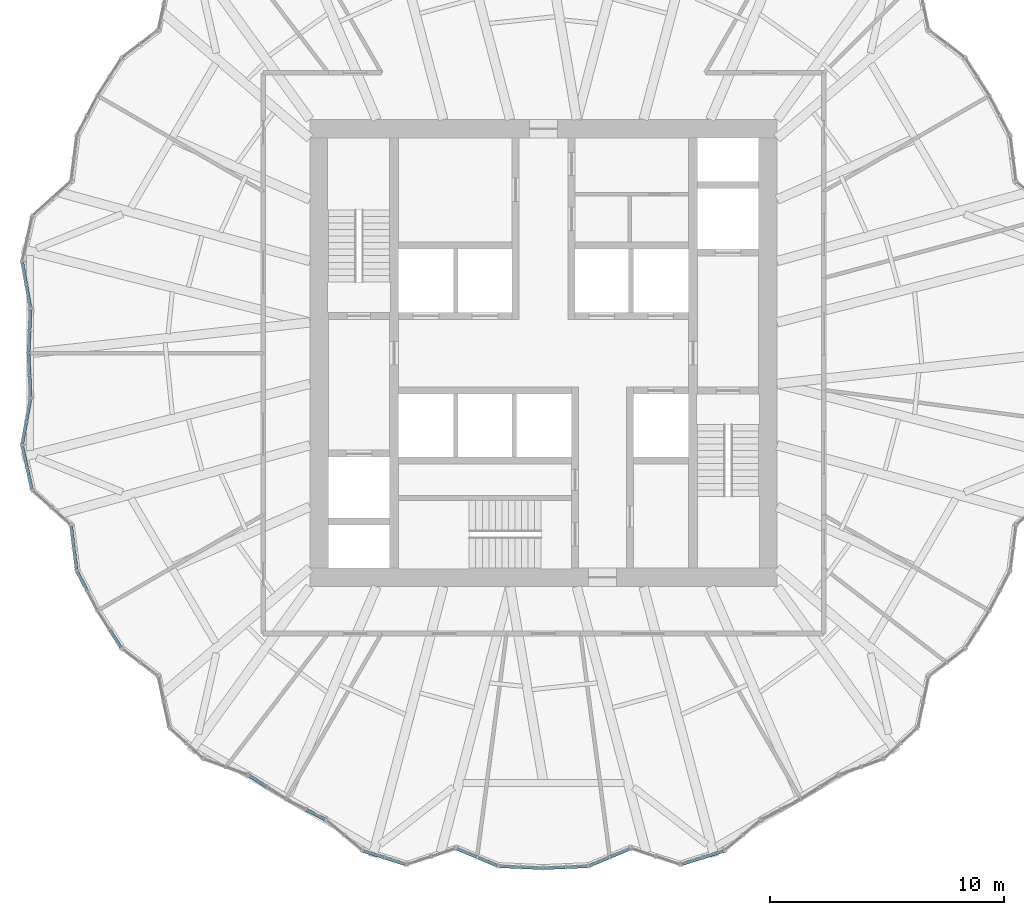
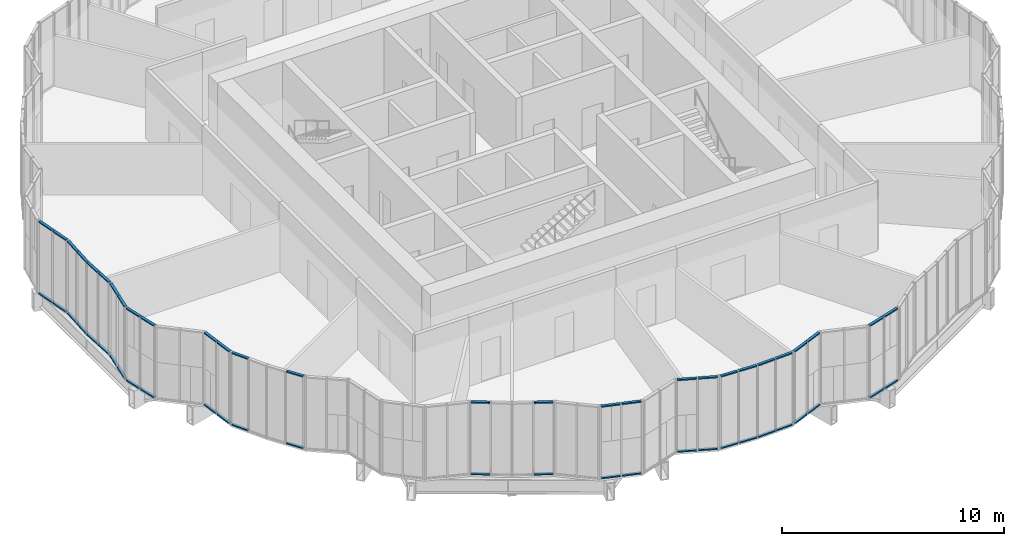
# One storey, part 10 of 23: 56 members, 16 elements without a shape of their own.
"""IFC4 building model written with IfcOpenShell, lengths in metres."""

import ifcopenshell
import ifcopenshell.guid

model = None  # the IFC model being written
_history = None  # IfcOwnerHistory: only IFC2X3 demands one
_inside = {}  # id of a spatial element -> (the spatial element, [elements in it])
_under = {}  # id of a project, library or spatial element -> (it, [spatial elements below it])
_declared = {}  # id of a project -> (the project, [libraries it declares])
_typed = {}  # id of a type object -> (the type object, [elements of that type])
_made_of = {}  # id of a material, layer set ... -> (it, [elements and type objects made of it])


def new_model(schema):
    """Start an empty IFC model of exactly this schema.

    Asked for "IFC4X3", IfcOpenShell would pick the latest addendum, in which some entities
    have other attributes; the version numbers below select the first issue.
    IFC2X3 requires an IfcOwnerHistory on every rooted entity: one is made here for all.
    """
    global model, _history
    if schema == "IFC4X3":
        model = ifcopenshell.file(schema_version=(4, 3, 0, 0))
    else:
        model = ifcopenshell.file(schema=schema)
    _inside.clear()
    _under.clear()
    _declared.clear()
    _typed.clear()
    _made_of.clear()
    _history = None
    if model.schema == "IFC2X3":
        org = make("IfcOrganization", Name="unknown")
        user = make(
            "IfcPersonAndOrganization",
            ThePerson=make("IfcPerson", FamilyName="unknown"),
            TheOrganization=org,
        )
        app = make(
            "IfcApplication",
            ApplicationDeveloper=org,
            Version="unknown",
            ApplicationFullName="unknown",
            ApplicationIdentifier="unknown",
        )
        _history = make(
            "IfcOwnerHistory",
            OwningUser=user,
            OwningApplication=app,
            ChangeAction="ADDED",
            CreationDate=0,
        )
    return model


def make(cls, **values):
    """One entity of the class cls with the attributes given. An attribute that is None is left unset."""
    return model.create_entity(
        cls, **{name: value for name, value in values.items() if value is not None}
    )


def rooted(cls, **values):
    """An entity with a GlobalId (a new one), such as an element, a storey or a relation."""
    return make(cls, GlobalId=ifcopenshell.guid.new(), OwnerHistory=_history, **values)


def si_unit(unit_type, name, prefix=None):
    """IfcSIUnit, for example si_unit("LENGTHUNIT", "METRE", prefix="MILLI")."""
    return make("IfcSIUnit", UnitType=unit_type, Prefix=prefix, Name=name)


def assignment(units):
    """IfcUnitAssignment: the units of a project."""
    return None if units is None else make("IfcUnitAssignment", Units=units)


def point(xyz):
    """IfcCartesianPoint."""
    return None if xyz is None else make("IfcCartesianPoint", Coordinates=xyz)


def direction(xyz):
    """IfcDirection."""
    return None if xyz is None else make("IfcDirection", DirectionRatios=xyz)


def frame(location, z_axis=None, x_axis=None):
    """IfcAxis2Placement3D, a coordinate frame: its origin and axes. An axis left out is left unset."""
    return make(
        "IfcAxis2Placement3D",
        Location=point(location),
        Axis=direction(z_axis),
        RefDirection=direction(x_axis),
    )


def frame_2d(location, x_axis=None):
    """IfcAxis2Placement2D, a coordinate frame in the plane: its origin and x axis."""
    return make(
        "IfcAxis2Placement2D", Location=point(location), RefDirection=direction(x_axis)
    )


def origin():
    """The frame at (0, 0, 0) with its axes left unset."""
    return frame((0.0, 0.0, 0.0))


def origin_2d():
    """The frame at (0, 0) in the plane with its x axis left unset."""
    return frame_2d((0.0, 0.0))


def place(relative_to, where):
    """IfcLocalPlacement: puts the frame where relative to a parent placement (None: the world)."""
    return make(
        "IfcLocalPlacement", PlacementRelTo=relative_to, RelativePlacement=where
    )


def context(
    kind, dimensions, precision=None, world=None, true_north=None, identifier=None
):
    """IfcGeometricRepresentationContext, for example the 3D "Model" context."""
    return make(
        "IfcGeometricRepresentationContext",
        ContextIdentifier=identifier,
        ContextType=kind,
        CoordinateSpaceDimension=dimensions,
        Precision=precision,
        WorldCoordinateSystem=world,
        TrueNorth=true_north,
    )


def subcontext(parent, identifier, kind, view, scale=None):
    """IfcGeometricRepresentationSubContext, for example "Body" below "Model"."""
    return make(
        "IfcGeometricRepresentationSubContext",
        ContextIdentifier=identifier,
        ContextType=kind,
        ParentContext=parent,
        TargetScale=scale,
        TargetView=view,
    )


def project(units=None, contexts=None):
    """IfcProject with its units and contexts."""
    return rooted(
        "IfcProject",
        Name="project",
        RepresentationContexts=contexts,
        UnitsInContext=assignment(units),
    )


def spatial(cls, under=None, at=None, **own):
    """A site, building, storey or space (cls), placed at a placement, below another one or the project."""
    s = rooted(cls, ObjectPlacement=at, **own)
    if under is not None:
        _under.setdefault(under.id(), (under, []))[1].append(s)
    return s


def profile(cls, at=None, kind="AREA", **sizes):
    """A parametric profile (cls). Its sizes go by their IFC names, for example OverallWidth=200.0."""
    return make(cls, ProfileType=kind, Position=at, **sizes)


def rectangle(**sizes):
    """IfcRectangleProfileDef."""
    return profile("IfcRectangleProfileDef", **sizes)


def extrude(swept, where, along, depth):
    """IfcExtrudedAreaSolid: the profile swept, set in the frame where, extruded along a direction by depth."""
    return make(
        "IfcExtrudedAreaSolid",
        SweptArea=swept,
        Position=where,
        ExtrudedDirection=direction(along),
        Depth=depth,
    )


def shape(context_of_items, identifier, shape_type, items):
    """IfcShapeRepresentation: the items that make up one representation, for example the "Body"."""
    return make(
        "IfcShapeRepresentation",
        ContextOfItems=context_of_items,
        RepresentationIdentifier=identifier,
        RepresentationType=shape_type,
        Items=items,
    )


def material(Name=None, Category=None):
    """IfcMaterial."""
    return make("IfcMaterial", Name=Name, Category=Category)


def material_profile(
    of_material, cross_section, Name=None, Category=None, Priority=None
):
    """IfcMaterialProfile: a cross section and its material."""
    return make(
        "IfcMaterialProfile",
        Name=Name,
        Material=of_material,
        Profile=cross_section,
        Priority=Priority,
        Category=Category,
    )


def profile_set(profiles, Name=None, composite=None):
    """IfcMaterialProfileSet."""
    return make(
        "IfcMaterialProfileSet",
        Name=Name,
        MaterialProfiles=profiles,
        CompositeProfile=composite,
    )


def made_of(thing, what):
    """Note that an element or type object is made of a material, layer set ...; save() writes the relation."""
    if what is not None:
        _made_of.setdefault(what.id(), (what, []))[1].append(thing)
    return thing


def type_object(cls, material=None, **own):
    """A type object (cls), such as IfcWallType, which elements share."""
    return made_of(rooted(cls, **own), material)


def element(
    cls,
    number,
    at=None,
    inside=None,
    cuts=None,
    type_object=None,
    material=None,
    context=None,
    identifier="Body",
    shape_type=None,
    held_by="IfcProductDefinitionShape",
    body=None,
    shapes=None,
    **own,
):
    """One element of the class cls, such as IfcWall. Its Tag is "e" and its number.

    at: its placement. inside: the storey or other place that contains it. cuts: it is an
    opening in that element (IfcRelVoidsElement). A single representation is given by context,
    identifier, shape_type and body (its items); several are given by shapes. held_by: the class
    of the entity that holds the representations. save() writes the other relations.
    """
    e = rooted(cls, Tag="e%d" % number, ObjectPlacement=at, **own)
    if body is not None:
        shapes = [shape(context, identifier, shape_type, body)]
    if shapes is not None:
        e.Representation = make(held_by, Representations=shapes)
    if inside is not None:
        _inside.setdefault(inside.id(), (inside, []))[1].append(e)
    if cuts is not None:
        rooted(
            "IfcRelVoidsElement", RelatingBuildingElement=cuts, RelatedOpeningElement=e
        )
    if type_object is not None:
        _typed.setdefault(type_object.id(), (type_object, []))[1].append(e)
    return made_of(e, material)


def aggregate(whole, parts):
    """IfcRelAggregates: a whole, such as a stair, and the parts it consists of."""
    return rooted("IfcRelAggregates", RelatingObject=whole, RelatedObjects=parts)


def save(model, path):
    """Write the relations noted so far, then the file.

    IfcRelAggregates (storeys below a building ...), IfcRelContainedInSpatialStructure (elements
    in a storey), IfcRelDefinesByType, IfcRelAssociatesMaterial and IfcRelDeclares: one each for
    every whole, place, type object, material and project.
    """
    for whole, parts in _under.values():
        aggregate(whole, parts)
    for where, things in _inside.values():
        rooted(
            "IfcRelContainedInSpatialStructure",
            RelatedElements=things,
            RelatingStructure=where,
        )
    for kind, things in _typed.values():
        rooted("IfcRelDefinesByType", RelatedObjects=things, RelatingType=kind)
    for what, things in _made_of.values():
        rooted("IfcRelAssociatesMaterial", RelatedObjects=things, RelatingMaterial=what)
    for by, libraries in _declared.values():
        rooted("IfcRelDeclares", RelatingContext=by, RelatedDefinitions=libraries)
    model.write(path)


model = new_model("IFC4")

# Units and contexts
model_context = context("Model", 3, precision=1e-05, world=origin(), true_north=direction((0.0, 1.0)))
body_context = subcontext(model_context, "Body", "Model", "MODEL_VIEW")
ifc_project = project(units=[si_unit("LENGTHUNIT", "METRE"), si_unit("AREAUNIT", "SQUARE_METRE"), si_unit("VOLUMEUNIT", "CUBIC_METRE"), si_unit("PLANEANGLEUNIT", "RADIAN"), si_unit("MASSUNIT", "GRAM", prefix="KILO")], contexts=[model_context])

# Site, building, storey
site_placement = place(None, origin())
site = spatial("IfcSite", under=ifc_project, at=site_placement, CompositionType="ELEMENT")
building_placement = place(site_placement, origin())
building = spatial("IfcBuilding", under=site, at=building_placement, Name="Golbaran Civic Tower", CompositionType="ELEMENT")
storey_placement = place(building_placement, frame((0.0, 0.0, 33.0)))
storey = spatial("IfcBuildingStorey", under=building, at=storey_placement, Name="L07", CompositionType="ELEMENT", Elevation=33.0)

# Curtain wall, members
ifc_material_1 = material(Name="Aluminium and glass", Category="aluminium")
curtain_wall_type = type_object("IfcCurtainWallType", Name="INNER SKIN CURTAIN WALL", PredefinedType="NOTDEFINED", material=ifc_material_1)
curtain_wall_1_placement = place(storey_placement, origin())
curtain_wall_1 = element("IfcCurtainWall", 1, at=curtain_wall_1_placement, inside=storey, type_object=curtain_wall_type, Name="Inner skin L07 facet 35 CW1", ObjectType="INNER SKIN", PredefinedType="USERDEFINED")
ifc_material_2 = material(Name="Aluminium", Category="aluminium")
ifc_material_profile = material_profile(ifc_material_2, rectangle(XDim=0.139892578125, YDim=0.06494140625, at=origin_2d()), Name="INNER SKIN CURTAIN WALL TRANSOM")
ifc_profile_set = profile_set([ifc_material_profile], Name="Aluminium")
member_type = type_object("IfcMemberType", Name="INNER SKIN CURTAIN WALL TRANSOM", PredefinedType="USERDEFINED", material=ifc_profile_set)
member_1_placement = place(storey_placement, frame((-22.309326171875, 3.871826171875, 0.032470703125), z_axis=(0.175891034414, -0.984409642381, 0.0), x_axis=(0.984409642381, 0.175891034414, 0.0)))
member_1 = element("IfcMember", 2, at=member_1_placement, type_object=member_type, Name="CW1 transom 1.1", ObjectType="TRANSOM", PredefinedType="USERDEFINED", context=body_context, shape_type="SweptSolid", body=[
    extrude(rectangle(XDim=0.139892578125, YDim=0.06494140625, at=origin_2d()), origin(), (0.0, 0.0, 1.0), 0.92578125),
])
member_2_placement = place(storey_placement, frame((-22.309326171875, 3.871826171875, 3.967529296875), z_axis=(0.175891034414, -0.984409642381, 0.0), x_axis=(0.984409642381, 0.175891034414, 0.0)))
member_2 = element("IfcMember", 3, at=member_2_placement, type_object=member_type, Name="CW1 transom 1.2", ObjectType="TRANSOM", PredefinedType="USERDEFINED", context=body_context, shape_type="SweptSolid", body=[
    extrude(rectangle(XDim=0.139892578125, YDim=0.06494140625, at=origin_2d()), origin(), (0.0, 0.0, 1.0), 0.92578125),
])
member_3_placement = place(storey_placement, frame((-22.13525390625, 2.896484375, 0.032470703125), z_axis=(0.175936706241, -0.984401480798, 0.0), x_axis=(0.984401480798, 0.175936706241, 0.0)))
member_3 = element("IfcMember", 4, at=member_3_placement, type_object=member_type, Name="CW1 transom 2.1", ObjectType="TRANSOM", PredefinedType="USERDEFINED", context=body_context, shape_type="SweptSolid", body=[
    extrude(rectangle(XDim=0.139892578125, YDim=0.06494140625, at=origin_2d()), origin(), (0.0, 0.0, 1.0), 0.925537109375),
])
member_4_placement = place(storey_placement, frame((-22.13525390625, 2.896484375, 3.967529296875), z_axis=(0.175936706241, -0.984401480798, 0.0), x_axis=(0.984401480798, 0.175936706241, 0.0)))
member_4 = element("IfcMember", 5, at=member_4_placement, type_object=member_type, Name="CW1 transom 2.2", ObjectType="TRANSOM", PredefinedType="USERDEFINED", context=body_context, shape_type="SweptSolid", body=[
    extrude(rectangle(XDim=0.139892578125, YDim=0.06494140625, at=origin_2d()), origin(), (0.0, 0.0, 1.0), 0.925537109375),
])
aggregate(curtain_wall_1, [member_1, member_2, member_3, member_4])

curtain_wall_2_placement = place(storey_placement, origin())
curtain_wall_2 = element("IfcCurtainWall", 6, at=curtain_wall_2_placement, inside=storey, type_object=curtain_wall_type, Name="Inner skin L07 facet 36 CW1", ObjectType="INNER SKIN", PredefinedType="USERDEFINED")
member_5_placement = place(storey_placement, frame((-21.9638671875, 1.8564453125, 0.032470703125), z_axis=(-0.043792788045, -0.999040635668, 0.0), x_axis=(0.999040635668, -0.043792788045, 0.0)))
member_5 = element("IfcMember", 7, at=member_5_placement, type_object=member_type, Name="CW1 transom 1.1", ObjectType="TRANSOM", PredefinedType="USERDEFINED", context=body_context, shape_type="SweptSolid", body=[
    extrude(rectangle(XDim=0.139892578125, YDim=0.06494140625, at=origin_2d()), origin(), (0.0, 0.0, 1.0), 0.864013671875),
])
member_6_placement = place(storey_placement, frame((-21.9638671875, 1.8564453125, 3.967529296875), z_axis=(-0.043792788045, -0.999040635668, 0.0), x_axis=(0.999040635668, -0.043792788045, 0.0)))
member_6 = element("IfcMember", 8, at=member_6_placement, type_object=member_type, Name="CW1 transom 1.2", ObjectType="TRANSOM", PredefinedType="USERDEFINED", context=body_context, shape_type="SweptSolid", body=[
    extrude(rectangle(XDim=0.139892578125, YDim=0.06494140625, at=origin_2d()), origin(), (0.0, 0.0, 1.0), 0.864013671875),
])
member_7_placement = place(storey_placement, frame((-22.00439453125, 0.92822265625, 0.032470703125), z_axis=(-0.043838979607, -0.999038609798, 0.0), x_axis=(0.999038609798, -0.043838979607, 0.0)))
member_7 = element("IfcMember", 9, at=member_7_placement, type_object=member_type, Name="CW1 transom 2.1", ObjectType="TRANSOM", PredefinedType="USERDEFINED", context=body_context, shape_type="SweptSolid", body=[
    extrude(rectangle(XDim=0.139892578125, YDim=0.06494140625, at=origin_2d()), origin(), (0.0, 0.0, 1.0), 0.896728515625),
])
member_8_placement = place(storey_placement, frame((-22.00439453125, 0.92822265625, 3.967529296875), z_axis=(-0.043838979607, -0.999038609798, 0.0), x_axis=(0.999038609798, -0.043838979607, 0.0)))
member_8 = element("IfcMember", 10, at=member_8_placement, type_object=member_type, Name="CW1 transom 2.2", ObjectType="TRANSOM", PredefinedType="USERDEFINED", context=body_context, shape_type="SweptSolid", body=[
    extrude(rectangle(XDim=0.139892578125, YDim=0.06494140625, at=origin_2d()), origin(), (0.0, 0.0, 1.0), 0.896728515625),
])
aggregate(curtain_wall_2, [member_5, member_6, member_7, member_8])

curtain_wall_3_placement = place(storey_placement, origin())
curtain_wall_3 = element("IfcCurtainWall", 11, at=curtain_wall_3_placement, inside=storey, type_object=curtain_wall_type, Name="Inner skin L07 facet 37 CW1", ObjectType="INNER SKIN", PredefinedType="USERDEFINED")
member_9_placement = place(storey_placement, frame((-22.043701171875, -0.032470703125, 0.032470703125), z_axis=(0.043838979607, -0.999038609798, 0.0), x_axis=(0.999038609798, 0.043838979607, 0.0)))
member_9 = element("IfcMember", 12, at=member_9_placement, type_object=member_type, Name="CW1 transom 1.1", ObjectType="TRANSOM", PredefinedType="USERDEFINED", context=body_context, shape_type="SweptSolid", body=[
    extrude(rectangle(XDim=0.139892578125, YDim=0.06494140625, at=origin_2d()), origin(), (0.0, 0.0, 1.0), 0.896728515625),
])
member_10_placement = place(storey_placement, frame((-22.043701171875, -0.032470703125, 3.967529296875), z_axis=(0.043838979607, -0.999038609798, 0.0), x_axis=(0.999038609798, 0.043838979607, 0.0)))
member_10 = element("IfcMember", 13, at=member_10_placement, type_object=member_type, Name="CW1 transom 1.2", ObjectType="TRANSOM", PredefinedType="USERDEFINED", context=body_context, shape_type="SweptSolid", body=[
    extrude(rectangle(XDim=0.139892578125, YDim=0.06494140625, at=origin_2d()), origin(), (0.0, 0.0, 1.0), 0.896728515625),
])
member_11_placement = place(storey_placement, frame((-22.001708984375, -0.9931640625, 0.032470703125), z_axis=(0.043792788045, -0.999040635668, 0.0), x_axis=(0.999040635668, 0.043792788045, 0.0)))
member_11 = element("IfcMember", 14, at=member_11_placement, type_object=member_type, Name="CW1 transom 2.1", ObjectType="TRANSOM", PredefinedType="USERDEFINED", context=body_context, shape_type="SweptSolid", body=[
    extrude(rectangle(XDim=0.139892578125, YDim=0.06494140625, at=origin_2d()), origin(), (0.0, 0.0, 1.0), 0.864013671875),
])
member_12_placement = place(storey_placement, frame((-22.001708984375, -0.9931640625, 3.967529296875), z_axis=(0.043792788045, -0.999040635668, 0.0), x_axis=(0.999040635668, 0.043792788045, 0.0)))
member_12 = element("IfcMember", 15, at=member_12_placement, type_object=member_type, Name="CW1 transom 2.2", ObjectType="TRANSOM", PredefinedType="USERDEFINED", context=body_context, shape_type="SweptSolid", body=[
    extrude(rectangle(XDim=0.139892578125, YDim=0.06494140625, at=origin_2d()), origin(), (0.0, 0.0, 1.0), 0.864013671875),
])
aggregate(curtain_wall_3, [member_9, member_10, member_11, member_12])

curtain_wall_4_placement = place(storey_placement, origin())
curtain_wall_4 = element("IfcCurtainWall", 16, at=curtain_wall_4_placement, inside=storey, type_object=curtain_wall_type, Name="Inner skin L07 facet 38 CW1", ObjectType="INNER SKIN", PredefinedType="USERDEFINED")
member_13_placement = place(storey_placement, frame((-21.972412109375, -1.9853515625, 0.032470703125), z_axis=(-0.175936706241, -0.984401480798, 0.0), x_axis=(0.984401480798, -0.175936706241, 0.0)))
member_13 = element("IfcMember", 17, at=member_13_placement, type_object=member_type, Name="CW1 transom 1.1", ObjectType="TRANSOM", PredefinedType="USERDEFINED", context=body_context, shape_type="SweptSolid", body=[
    extrude(rectangle(XDim=0.139892578125, YDim=0.06494140625, at=origin_2d()), origin(), (0.0, 0.0, 1.0), 0.925537109375),
])
member_14_placement = place(storey_placement, frame((-21.972412109375, -1.9853515625, 3.967529296875), z_axis=(-0.175936706241, -0.984401480798, 0.0), x_axis=(0.984401480798, -0.175936706241, 0.0)))
member_14 = element("IfcMember", 18, at=member_14_placement, type_object=member_type, Name="CW1 transom 1.2", ObjectType="TRANSOM", PredefinedType="USERDEFINED", context=body_context, shape_type="SweptSolid", body=[
    extrude(rectangle(XDim=0.139892578125, YDim=0.06494140625, at=origin_2d()), origin(), (0.0, 0.0, 1.0), 0.925537109375),
])
member_15_placement = place(storey_placement, frame((-22.146484375, -2.96044921875, 0.032470703125), z_axis=(-0.175891034414, -0.984409642381, 0.0), x_axis=(0.984409642381, -0.175891034414, 0.0)))
member_15 = element("IfcMember", 19, at=member_15_placement, type_object=member_type, Name="CW1 transom 2.1", ObjectType="TRANSOM", PredefinedType="USERDEFINED", context=body_context, shape_type="SweptSolid", body=[
    extrude(rectangle(XDim=0.139892578125, YDim=0.06494140625, at=origin_2d()), origin(), (0.0, 0.0, 1.0), 0.92578125),
])
member_16_placement = place(storey_placement, frame((-22.146484375, -2.96044921875, 3.967529296875), z_axis=(-0.175891034414, -0.984409642381, 0.0), x_axis=(0.984409642381, -0.175891034414, 0.0)))
member_16 = element("IfcMember", 20, at=member_16_placement, type_object=member_type, Name="CW1 transom 2.2", ObjectType="TRANSOM", PredefinedType="USERDEFINED", context=body_context, shape_type="SweptSolid", body=[
    extrude(rectangle(XDim=0.139892578125, YDim=0.06494140625, at=origin_2d()), origin(), (0.0, 0.0, 1.0), 0.92578125),
])
aggregate(curtain_wall_4, [member_13, member_14, member_15, member_16])

curtain_wall_5_placement = place(storey_placement, origin())
curtain_wall_5 = element("IfcCurtainWall", 21, at=curtain_wall_5_placement, inside=storey, type_object=curtain_wall_type, Name="Inner skin L07 facet 39 CW1", ObjectType="INNER SKIN", PredefinedType="USERDEFINED")
member_17_placement = place(storey_placement, frame((-22.306640625, -3.999267578125, 0.032470703125), z_axis=(0.216466231693, -0.976290105725, 0.0), x_axis=(0.976290105725, 0.216466231693, 0.0)))
member_17 = element("IfcMember", 22, at=member_17_placement, type_object=member_type, Name="CW1 transom 1.1", ObjectType="TRANSOM", PredefinedType="USERDEFINED", context=body_context, shape_type="SweptSolid", body=[
    extrude(rectangle(XDim=0.139892578125, YDim=0.06494140625, at=origin_2d()), origin(), (0.0, 0.0, 1.0), 0.89111328125),
])
member_18_placement = place(storey_placement, frame((-22.306640625, -3.999267578125, 3.967529296875), z_axis=(0.216466231693, -0.976290105725, 0.0), x_axis=(0.976290105725, 0.216466231693, 0.0)))
member_18 = element("IfcMember", 23, at=member_18_placement, type_object=member_type, Name="CW1 transom 1.2", ObjectType="TRANSOM", PredefinedType="USERDEFINED", context=body_context, shape_type="SweptSolid", body=[
    extrude(rectangle(XDim=0.139892578125, YDim=0.06494140625, at=origin_2d()), origin(), (0.0, 0.0, 1.0), 0.89111328125),
])
member_19_placement = place(storey_placement, frame((-22.099609375, -4.9326171875, 0.032470703125), z_axis=(0.21640833966, -0.976302939935, 0.0), x_axis=(0.976302939935, 0.21640833966, 0.0)))
member_19 = element("IfcMember", 24, at=member_19_placement, type_object=member_type, Name="CW1 transom 2.1", ObjectType="TRANSOM", PredefinedType="USERDEFINED", context=body_context, shape_type="SweptSolid", body=[
    extrude(rectangle(XDim=0.139892578125, YDim=0.06494140625, at=origin_2d()), origin(), (0.0, 0.0, 1.0), 0.891357421875),
])
member_20_placement = place(storey_placement, frame((-22.099609375, -4.9326171875, 3.967529296875), z_axis=(0.21640833966, -0.976302939935, 0.0), x_axis=(0.976302939935, 0.21640833966, 0.0)))
member_20 = element("IfcMember", 25, at=member_20_placement, type_object=member_type, Name="CW1 transom 2.2", ObjectType="TRANSOM", PredefinedType="USERDEFINED", context=body_context, shape_type="SweptSolid", body=[
    extrude(rectangle(XDim=0.139892578125, YDim=0.06494140625, at=origin_2d()), origin(), (0.0, 0.0, 1.0), 0.891357421875),
])
aggregate(curtain_wall_5, [member_17, member_18, member_19, member_20])

curtain_wall_6_placement = place(storey_placement, origin())
curtain_wall_6 = element("IfcCurtainWall", 26, at=curtain_wall_6_placement, inside=storey, type_object=curtain_wall_type, Name="Inner skin L07 facet 41 CW1", ObjectType="INNER SKIN", PredefinedType="USERDEFINED")
member_21_placement = place(storey_placement, frame((-20.2197265625, -7.4267578125, 0.032470703125), z_axis=(0.126269045709, -0.991996032298, 0.0), x_axis=(0.991996032298, 0.126269045709, 0.0)))
member_21 = element("IfcMember", 27, at=member_21_placement, type_object=member_type, Name="CW1 transom 1.1", ObjectType="TRANSOM", PredefinedType="USERDEFINED", context=body_context, shape_type="SweptSolid", body=[
    extrude(rectangle(XDim=0.139892578125, YDim=0.06494140625, at=origin_2d()), origin(), (0.0, 0.0, 1.0), 0.887451171875),
])
member_22_placement = place(storey_placement, frame((-20.2197265625, -7.4267578125, 3.967529296875), z_axis=(0.126269045709, -0.991996032298, 0.0), x_axis=(0.991996032298, 0.126269045709, 0.0)))
member_22 = element("IfcMember", 28, at=member_22_placement, type_object=member_type, Name="CW1 transom 1.2", ObjectType="TRANSOM", PredefinedType="USERDEFINED", context=body_context, shape_type="SweptSolid", body=[
    extrude(rectangle(XDim=0.139892578125, YDim=0.06494140625, at=origin_2d()), origin(), (0.0, 0.0, 1.0), 0.887451171875),
])
member_23_placement = place(storey_placement, frame((-20.099609375, -8.371826171875, 0.032470703125), z_axis=(0.125998321747, -0.992030454632, 0.0), x_axis=(0.992030454632, 0.125998321747, 0.0)))
member_23 = element("IfcMember", 29, at=member_23_placement, type_object=member_type, Name="CW1 transom 2.1", ObjectType="TRANSOM", PredefinedType="USERDEFINED", context=body_context, shape_type="SweptSolid", body=[
    extrude(rectangle(XDim=0.139892578125, YDim=0.06494140625, at=origin_2d()), origin(), (0.0, 0.0, 1.0), 0.887451171875),
])
member_24_placement = place(storey_placement, frame((-20.099609375, -8.371826171875, 3.967529296875), z_axis=(0.125998321747, -0.992030454632, 0.0), x_axis=(0.992030454632, 0.125998321747, 0.0)))
member_24 = element("IfcMember", 30, at=member_24_placement, type_object=member_type, Name="CW1 transom 2.2", ObjectType="TRANSOM", PredefinedType="USERDEFINED", context=body_context, shape_type="SweptSolid", body=[
    extrude(rectangle(XDim=0.139892578125, YDim=0.06494140625, at=origin_2d()), origin(), (0.0, 0.0, 1.0), 0.887451171875),
])
aggregate(curtain_wall_6, [member_21, member_22, member_23, member_24])

curtain_wall_7_placement = place(storey_placement, origin())
curtain_wall_7 = element("IfcCurtainWall", 31, at=curtain_wall_7_placement, inside=storey, type_object=curtain_wall_type, Name="Inner skin L07 facet 42 CW1", ObjectType="INNER SKIN", PredefinedType="USERDEFINED")
member_25_placement = place(storey_placement, frame((-19.949462890625, -9.374267578125, 0.032470703125), z_axis=(0.461735279655, -0.887017774073, 0.0), x_axis=(0.887017774073, 0.461735279655, 0.0)))
member_25 = element("IfcMember", 32, at=member_25_placement, type_object=member_type, Name="CW1 transom 1.1", ObjectType="TRANSOM", PredefinedType="USERDEFINED", context=body_context, shape_type="SweptSolid", body=[
    extrude(rectangle(XDim=0.139892578125, YDim=0.06494140625, at=origin_2d()), origin(), (0.0, 0.0, 1.0), 0.864013671875),
])
member_26_placement = place(storey_placement, frame((-19.949462890625, -9.374267578125, 3.967529296875), z_axis=(0.461735279655, -0.887017774073, 0.0), x_axis=(0.887017774073, 0.461735279655, 0.0)))
member_26 = element("IfcMember", 33, at=member_26_placement, type_object=member_type, Name="CW1 transom 1.2", ObjectType="TRANSOM", PredefinedType="USERDEFINED", context=body_context, shape_type="SweptSolid", body=[
    extrude(rectangle(XDim=0.139892578125, YDim=0.06494140625, at=origin_2d()), origin(), (0.0, 0.0, 1.0), 0.864013671875),
])
aggregate(curtain_wall_7, [member_25, member_26])

curtain_wall_8_placement = place(storey_placement, origin())
curtain_wall_8 = element("IfcCurtainWall", 34, at=curtain_wall_8_placement, inside=storey, type_object=curtain_wall_type, Name="Inner skin L07 facet 43 CW1", ObjectType="INNER SKIN", PredefinedType="USERDEFINED")
member_27_placement = place(storey_placement, frame((-18.557373046875, -11.86083984375, 0.032470703125), z_axis=(0.537368994021, -0.843347238251, 0.0), x_axis=(0.843347238251, 0.537368994021, 0.0)))
member_27 = element("IfcMember", 35, at=member_27_placement, type_object=member_type, Name="CW1 transom 2.1", ObjectType="TRANSOM", PredefinedType="USERDEFINED", context=body_context, shape_type="SweptSolid", body=[
    extrude(rectangle(XDim=0.139892578125, YDim=0.06494140625, at=origin_2d()), origin(), (0.0, 0.0, 1.0), 0.864013671875),
])
member_28_placement = place(storey_placement, frame((-18.557373046875, -11.86083984375, 3.967529296875), z_axis=(0.537368994021, -0.843347238251, 0.0), x_axis=(0.843347238251, 0.537368994021, 0.0)))
member_28 = element("IfcMember", 36, at=member_28_placement, type_object=member_type, Name="CW1 transom 2.2", ObjectType="TRANSOM", PredefinedType="USERDEFINED", context=body_context, shape_type="SweptSolid", body=[
    extrude(rectangle(XDim=0.139892578125, YDim=0.06494140625, at=origin_2d()), origin(), (0.0, 0.0, 1.0), 0.864013671875),
])
aggregate(curtain_wall_8, [member_27, member_28])

curtain_wall_9_placement = place(storey_placement, origin())
curtain_wall_9 = element("IfcCurtainWall", 37, at=curtain_wall_9_placement, inside=storey, type_object=curtain_wall_type, Name="Inner skin L07 facet 48 CW1", ObjectType="INNER SKIN", PredefinedType="USERDEFINED")
member_29_placement = place(storey_placement, frame((-12.589599609375, -18.093017578125, 0.032470703125), z_axis=(0.843347238251, -0.537368994021, 0.0), x_axis=(0.537368994021, 0.843347238251, 0.0)))
member_29 = element("IfcMember", 38, at=member_29_placement, type_object=member_type, Name="CW1 transom 1.1", ObjectType="TRANSOM", PredefinedType="USERDEFINED", context=body_context, shape_type="SweptSolid", body=[
    extrude(rectangle(XDim=0.139892578125, YDim=0.06494140625, at=origin_2d()), origin(), (0.0, 0.0, 1.0), 0.864013671875),
])
member_30_placement = place(storey_placement, frame((-12.589599609375, -18.093017578125, 3.967529296875), z_axis=(0.843347238251, -0.537368994021, 0.0), x_axis=(0.537368994021, 0.843347238251, 0.0)))
member_30 = element("IfcMember", 39, at=member_30_placement, type_object=member_type, Name="CW1 transom 1.2", ObjectType="TRANSOM", PredefinedType="USERDEFINED", context=body_context, shape_type="SweptSolid", body=[
    extrude(rectangle(XDim=0.139892578125, YDim=0.06494140625, at=origin_2d()), origin(), (0.0, 0.0, 1.0), 0.864013671875),
])
aggregate(curtain_wall_9, [member_29, member_30])

curtain_wall_10_placement = place(storey_placement, origin())
curtain_wall_10 = element("IfcCurtainWall", 40, at=curtain_wall_10_placement, inside=storey, type_object=curtain_wall_type, Name="Inner skin L07 facet 49 CW1", ObjectType="INNER SKIN", PredefinedType="USERDEFINED")
member_31_placement = place(storey_placement, frame((-10.140625, -19.550537109375, 0.032470703125), z_axis=(0.887017774073, -0.461735279655, 0.0), x_axis=(0.461735279655, 0.887017774073, 0.0)))
member_31 = element("IfcMember", 41, at=member_31_placement, type_object=member_type, Name="CW1 transom 2.1", ObjectType="TRANSOM", PredefinedType="USERDEFINED", context=body_context, shape_type="SweptSolid", body=[
    extrude(rectangle(XDim=0.139892578125, YDim=0.06494140625, at=origin_2d()), origin(), (0.0, 0.0, 1.0), 0.864013671875),
])
member_32_placement = place(storey_placement, frame((-10.140625, -19.550537109375, 3.967529296875), z_axis=(0.887017774073, -0.461735279655, 0.0), x_axis=(0.461735279655, 0.887017774073, 0.0)))
member_32 = element("IfcMember", 42, at=member_32_placement, type_object=member_type, Name="CW1 transom 2.2", ObjectType="TRANSOM", PredefinedType="USERDEFINED", context=body_context, shape_type="SweptSolid", body=[
    extrude(rectangle(XDim=0.139892578125, YDim=0.06494140625, at=origin_2d()), origin(), (0.0, 0.0, 1.0), 0.864013671875),
])
aggregate(curtain_wall_10, [member_31, member_32])

curtain_wall_11_placement = place(storey_placement, origin())
curtain_wall_11 = element("IfcCurtainWall", 43, at=curtain_wall_11_placement, inside=storey, type_object=curtain_wall_type, Name="Inner skin L07 facet 51 CW1", ObjectType="INNER SKIN", PredefinedType="USERDEFINED")
member_33_placement = place(storey_placement, frame((-7.68994140625, -21.317626953125, 0.032470703125), z_axis=(0.95368198693, -0.300816668098, 0.0), x_axis=(0.300816668098, 0.95368198693, 0.0)))
member_33 = element("IfcMember", 44, at=member_33_placement, type_object=member_type, Name="CW1 transom 1.1", ObjectType="TRANSOM", PredefinedType="USERDEFINED", context=body_context, shape_type="SweptSolid", body=[
    extrude(rectangle(XDim=0.139892578125, YDim=0.06494140625, at=origin_2d()), origin(), (0.0, 0.0, 1.0), 0.89111328125),
])
member_34_placement = place(storey_placement, frame((-7.68994140625, -21.317626953125, 3.967529296875), z_axis=(0.95368198693, -0.300816668098, 0.0), x_axis=(0.300816668098, 0.95368198693, 0.0)))
member_34 = element("IfcMember", 45, at=member_34_placement, type_object=member_type, Name="CW1 transom 1.2", ObjectType="TRANSOM", PredefinedType="USERDEFINED", context=body_context, shape_type="SweptSolid", body=[
    extrude(rectangle(XDim=0.139892578125, YDim=0.06494140625, at=origin_2d()), origin(), (0.0, 0.0, 1.0), 0.89111328125),
])
member_35_placement = place(storey_placement, frame((-6.778076171875, -21.605224609375, 0.032470703125), z_axis=(0.953760557678, -0.300567461009, 0.0), x_axis=(0.300567461009, 0.953760557678, 0.0)))
member_35 = element("IfcMember", 46, at=member_35_placement, type_object=member_type, Name="CW1 transom 2.1", ObjectType="TRANSOM", PredefinedType="USERDEFINED", context=body_context, shape_type="SweptSolid", body=[
    extrude(rectangle(XDim=0.139892578125, YDim=0.06494140625, at=origin_2d()), origin(), (0.0, 0.0, 1.0), 0.89111328125),
])
member_36_placement = place(storey_placement, frame((-6.778076171875, -21.605224609375, 3.967529296875), z_axis=(0.953760557678, -0.300567461009, 0.0), x_axis=(0.300567461009, 0.953760557678, 0.0)))
member_36 = element("IfcMember", 47, at=member_36_placement, type_object=member_type, Name="CW1 transom 2.2", ObjectType="TRANSOM", PredefinedType="USERDEFINED", context=body_context, shape_type="SweptSolid", body=[
    extrude(rectangle(XDim=0.139892578125, YDim=0.06494140625, at=origin_2d()), origin(), (0.0, 0.0, 1.0), 0.89111328125),
])
aggregate(curtain_wall_11, [member_33, member_34, member_35, member_36])

curtain_wall_12_placement = place(storey_placement, origin())
curtain_wall_12 = element("IfcCurtainWall", 48, at=curtain_wall_12_placement, inside=storey, type_object=curtain_wall_type, Name="Inner skin L07 facet 53 CW1", ObjectType="INNER SKIN", PredefinedType="USERDEFINED")
member_37_placement = place(storey_placement, frame((-3.677978515625, -21.22412109375, 0.032470703125), z_axis=(0.922162729123, -0.38680214712, 0.0), x_axis=(0.38680214712, 0.922162729123, 0.0)))
member_37 = element("IfcMember", 49, at=member_37_placement, type_object=member_type, Name="CW1 transom 1.1", ObjectType="TRANSOM", PredefinedType="USERDEFINED", context=body_context, shape_type="SweptSolid", body=[
    extrude(rectangle(XDim=0.139892578125, YDim=0.06494140625, at=origin_2d()), origin(), (0.0, 0.0, 1.0), 0.887451171875),
])
member_38_placement = place(storey_placement, frame((-3.677978515625, -21.22412109375, 3.967529296875), z_axis=(0.922162729123, -0.38680214712, 0.0), x_axis=(0.38680214712, 0.922162729123, 0.0)))
member_38 = element("IfcMember", 50, at=member_38_placement, type_object=member_type, Name="CW1 transom 1.2", ObjectType="TRANSOM", PredefinedType="USERDEFINED", context=body_context, shape_type="SweptSolid", body=[
    extrude(rectangle(XDim=0.139892578125, YDim=0.06494140625, at=origin_2d()), origin(), (0.0, 0.0, 1.0), 0.887451171875),
])
member_39_placement = place(storey_placement, frame((-2.799560546875, -21.592529296875, 0.032470703125), z_axis=(0.922064580305, -0.387036057425, 0.0), x_axis=(0.387036057425, 0.922064580305, 0.0)))
member_39 = element("IfcMember", 51, at=member_39_placement, type_object=member_type, Name="CW1 transom 2.1", ObjectType="TRANSOM", PredefinedType="USERDEFINED", context=body_context, shape_type="SweptSolid", body=[
    extrude(rectangle(XDim=0.139892578125, YDim=0.06494140625, at=origin_2d()), origin(), (0.0, 0.0, 1.0), 0.887451171875),
])
member_40_placement = place(storey_placement, frame((-2.799560546875, -21.592529296875, 3.967529296875), z_axis=(0.922064580305, -0.387036057425, 0.0), x_axis=(0.387036057425, 0.922064580305, 0.0)))
member_40 = element("IfcMember", 52, at=member_40_placement, type_object=member_type, Name="CW1 transom 2.2", ObjectType="TRANSOM", PredefinedType="USERDEFINED", context=body_context, shape_type="SweptSolid", body=[
    extrude(rectangle(XDim=0.139892578125, YDim=0.06494140625, at=origin_2d()), origin(), (0.0, 0.0, 1.0), 0.887451171875),
])
aggregate(curtain_wall_12, [member_37, member_38, member_39, member_40])

curtain_wall_13_placement = place(storey_placement, origin())
curtain_wall_13 = element("IfcCurtainWall", 53, at=curtain_wall_13_placement, inside=storey, type_object=curtain_wall_type, Name="Inner skin L07 facet 54 CW1", ObjectType="INNER SKIN", PredefinedType="USERDEFINED")
member_41_placement = place(storey_placement, frame((-1.8564453125, -21.9638671875, 0.032470703125), z_axis=(0.999040635668, -0.043792788045, 0.0), x_axis=(0.043792788045, 0.999040635668, 0.0)))
member_41 = element("IfcMember", 54, at=member_41_placement, type_object=member_type, Name="CW1 transom 1.1", ObjectType="TRANSOM", PredefinedType="USERDEFINED", context=body_context, shape_type="SweptSolid", body=[
    extrude(rectangle(XDim=0.139892578125, YDim=0.06494140625, at=origin_2d()), origin(), (0.0, 0.0, 1.0), 0.864013671875),
])
member_42_placement = place(storey_placement, frame((-1.8564453125, -21.9638671875, 3.967529296875), z_axis=(0.999040635668, -0.043792788045, 0.0), x_axis=(0.043792788045, 0.999040635668, 0.0)))
member_42 = element("IfcMember", 55, at=member_42_placement, type_object=member_type, Name="CW1 transom 1.2", ObjectType="TRANSOM", PredefinedType="USERDEFINED", context=body_context, shape_type="SweptSolid", body=[
    extrude(rectangle(XDim=0.139892578125, YDim=0.06494140625, at=origin_2d()), origin(), (0.0, 0.0, 1.0), 0.864013671875),
])
member_43_placement = place(storey_placement, frame((-0.92822265625, -22.00439453125, 0.032470703125), z_axis=(0.999038609798, -0.043838979607, 0.0), x_axis=(0.043838979607, 0.999038609798, 0.0)))
member_43 = element("IfcMember", 56, at=member_43_placement, type_object=member_type, Name="CW1 transom 2.1", ObjectType="TRANSOM", PredefinedType="USERDEFINED", context=body_context, shape_type="SweptSolid", body=[
    extrude(rectangle(XDim=0.139892578125, YDim=0.06494140625, at=origin_2d()), origin(), (0.0, 0.0, 1.0), 0.896728515625),
])
member_44_placement = place(storey_placement, frame((-0.92822265625, -22.00439453125, 3.967529296875), z_axis=(0.999038609798, -0.043838979607, 0.0), x_axis=(0.043838979607, 0.999038609798, 0.0)))
member_44 = element("IfcMember", 57, at=member_44_placement, type_object=member_type, Name="CW1 transom 2.2", ObjectType="TRANSOM", PredefinedType="USERDEFINED", context=body_context, shape_type="SweptSolid", body=[
    extrude(rectangle(XDim=0.139892578125, YDim=0.06494140625, at=origin_2d()), origin(), (0.0, 0.0, 1.0), 0.896728515625),
])
aggregate(curtain_wall_13, [member_41, member_42, member_43, member_44])

curtain_wall_14_placement = place(storey_placement, origin())
curtain_wall_14 = element("IfcCurtainWall", 58, at=curtain_wall_14_placement, inside=storey, type_object=curtain_wall_type, Name="Inner skin L07 facet 55 CW1", ObjectType="INNER SKIN", PredefinedType="USERDEFINED")
member_45_placement = place(storey_placement, frame((0.032470703125, -22.043701171875, 0.032470703125), z_axis=(0.999038609798, 0.043838979607, 0.0), x_axis=(-0.043838979607, 0.999038609798, 0.0)))
member_45 = element("IfcMember", 59, at=member_45_placement, type_object=member_type, Name="CW1 transom 1.1", ObjectType="TRANSOM", PredefinedType="USERDEFINED", context=body_context, shape_type="SweptSolid", body=[
    extrude(rectangle(XDim=0.139892578125, YDim=0.06494140625, at=origin_2d()), origin(), (0.0, 0.0, 1.0), 0.896728515625),
])
member_46_placement = place(storey_placement, frame((0.032470703125, -22.043701171875, 3.967529296875), z_axis=(0.999038609798, 0.043838979607, 0.0), x_axis=(-0.043838979607, 0.999038609798, 0.0)))
member_46 = element("IfcMember", 60, at=member_46_placement, type_object=member_type, Name="CW1 transom 1.2", ObjectType="TRANSOM", PredefinedType="USERDEFINED", context=body_context, shape_type="SweptSolid", body=[
    extrude(rectangle(XDim=0.139892578125, YDim=0.06494140625, at=origin_2d()), origin(), (0.0, 0.0, 1.0), 0.896728515625),
])
member_47_placement = place(storey_placement, frame((0.9931640625, -22.001708984375, 0.032470703125), z_axis=(0.999040635668, 0.043792788045, 0.0), x_axis=(-0.043792788045, 0.999040635668, 0.0)))
member_47 = element("IfcMember", 61, at=member_47_placement, type_object=member_type, Name="CW1 transom 2.1", ObjectType="TRANSOM", PredefinedType="USERDEFINED", context=body_context, shape_type="SweptSolid", body=[
    extrude(rectangle(XDim=0.139892578125, YDim=0.06494140625, at=origin_2d()), origin(), (0.0, 0.0, 1.0), 0.864013671875),
])
member_48_placement = place(storey_placement, frame((0.9931640625, -22.001708984375, 3.967529296875), z_axis=(0.999040635668, 0.043792788045, 0.0), x_axis=(-0.043792788045, 0.999040635668, 0.0)))
member_48 = element("IfcMember", 62, at=member_48_placement, type_object=member_type, Name="CW1 transom 2.2", ObjectType="TRANSOM", PredefinedType="USERDEFINED", context=body_context, shape_type="SweptSolid", body=[
    extrude(rectangle(XDim=0.139892578125, YDim=0.06494140625, at=origin_2d()), origin(), (0.0, 0.0, 1.0), 0.864013671875),
])
aggregate(curtain_wall_14, [member_45, member_46, member_47, member_48])

curtain_wall_15_placement = place(storey_placement, origin())
curtain_wall_15 = element("IfcCurtainWall", 63, at=curtain_wall_15_placement, inside=storey, type_object=curtain_wall_type, Name="Inner skin L07 facet 56 CW1", ObjectType="INNER SKIN", PredefinedType="USERDEFINED")
member_49_placement = place(storey_placement, frame((1.981201171875, -21.93603515625, 0.032470703125), z_axis=(0.922064580305, 0.387036057425, 0.0), x_axis=(-0.387036057425, 0.922064580305, 0.0)))
member_49 = element("IfcMember", 64, at=member_49_placement, type_object=member_type, Name="CW1 transom 1.1", ObjectType="TRANSOM", PredefinedType="USERDEFINED", context=body_context, shape_type="SweptSolid", body=[
    extrude(rectangle(XDim=0.139892578125, YDim=0.06494140625, at=origin_2d()), origin(), (0.0, 0.0, 1.0), 0.887451171875),
])
member_50_placement = place(storey_placement, frame((1.981201171875, -21.93603515625, 3.967529296875), z_axis=(0.922064580305, 0.387036057425, 0.0), x_axis=(-0.387036057425, 0.922064580305, 0.0)))
member_50 = element("IfcMember", 65, at=member_50_placement, type_object=member_type, Name="CW1 transom 1.2", ObjectType="TRANSOM", PredefinedType="USERDEFINED", context=body_context, shape_type="SweptSolid", body=[
    extrude(rectangle(XDim=0.139892578125, YDim=0.06494140625, at=origin_2d()), origin(), (0.0, 0.0, 1.0), 0.887451171875),
])
member_51_placement = place(storey_placement, frame((2.859619140625, -21.5673828125, 0.032470703125), z_axis=(0.922162729123, 0.38680214712, 0.0), x_axis=(-0.38680214712, 0.922162729123, 0.0)))
member_51 = element("IfcMember", 66, at=member_51_placement, type_object=member_type, Name="CW1 transom 2.1", ObjectType="TRANSOM", PredefinedType="USERDEFINED", context=body_context, shape_type="SweptSolid", body=[
    extrude(rectangle(XDim=0.139892578125, YDim=0.06494140625, at=origin_2d()), origin(), (0.0, 0.0, 1.0), 0.887451171875),
])
member_52_placement = place(storey_placement, frame((2.859619140625, -21.5673828125, 3.967529296875), z_axis=(0.922162729123, 0.38680214712, 0.0), x_axis=(-0.38680214712, 0.922162729123, 0.0)))
member_52 = element("IfcMember", 67, at=member_52_placement, type_object=member_type, Name="CW1 transom 2.2", ObjectType="TRANSOM", PredefinedType="USERDEFINED", context=body_context, shape_type="SweptSolid", body=[
    extrude(rectangle(XDim=0.139892578125, YDim=0.06494140625, at=origin_2d()), origin(), (0.0, 0.0, 1.0), 0.887451171875),
])
aggregate(curtain_wall_15, [member_49, member_50, member_51, member_52])

curtain_wall_16_placement = place(storey_placement, origin())
curtain_wall_16 = element("IfcCurtainWall", 68, at=curtain_wall_16_placement, inside=storey, type_object=curtain_wall_type, Name="Inner skin L07 facet 58 CW1", ObjectType="INNER SKIN", PredefinedType="USERDEFINED")
member_53_placement = place(storey_placement, frame((5.92822265625, -21.873046875, 0.032470703125), z_axis=(0.953760557678, 0.300567461009, 0.0), x_axis=(-0.300567461009, 0.953760557678, 0.0)))
member_53 = element("IfcMember", 69, at=member_53_placement, type_object=member_type, Name="CW1 transom 1.1", ObjectType="TRANSOM", PredefinedType="USERDEFINED", context=body_context, shape_type="SweptSolid", body=[
    extrude(rectangle(XDim=0.139892578125, YDim=0.06494140625, at=origin_2d()), origin(), (0.0, 0.0, 1.0), 0.89111328125),
])
member_54_placement = place(storey_placement, frame((5.92822265625, -21.873046875, 3.967529296875), z_axis=(0.953760557678, 0.300567461009, 0.0), x_axis=(-0.300567461009, 0.953760557678, 0.0)))
member_54 = element("IfcMember", 70, at=member_54_placement, type_object=member_type, Name="CW1 transom 1.2", ObjectType="TRANSOM", PredefinedType="USERDEFINED", context=body_context, shape_type="SweptSolid", body=[
    extrude(rectangle(XDim=0.139892578125, YDim=0.06494140625, at=origin_2d()), origin(), (0.0, 0.0, 1.0), 0.89111328125),
])
member_55_placement = place(storey_placement, frame((6.840087890625, -21.585693359375, 0.032470703125), z_axis=(0.95368198693, 0.300816668098, 0.0), x_axis=(-0.300816668098, 0.95368198693, 0.0)))
member_55 = element("IfcMember", 71, at=member_55_placement, type_object=member_type, Name="CW1 transom 2.1", ObjectType="TRANSOM", PredefinedType="USERDEFINED", context=body_context, shape_type="SweptSolid", body=[
    extrude(rectangle(XDim=0.139892578125, YDim=0.06494140625, at=origin_2d()), origin(), (0.0, 0.0, 1.0), 0.89111328125),
])
member_56_placement = place(storey_placement, frame((6.840087890625, -21.585693359375, 3.967529296875), z_axis=(0.95368198693, 0.300816668098, 0.0), x_axis=(-0.300816668098, 0.95368198693, 0.0)))
member_56 = element("IfcMember", 72, at=member_56_placement, type_object=member_type, Name="CW1 transom 2.2", ObjectType="TRANSOM", PredefinedType="USERDEFINED", context=body_context, shape_type="SweptSolid", body=[
    extrude(rectangle(XDim=0.139892578125, YDim=0.06494140625, at=origin_2d()), origin(), (0.0, 0.0, 1.0), 0.89111328125),
])
aggregate(curtain_wall_16, [member_53, member_54, member_55, member_56])

save(model, "model.ifc")
